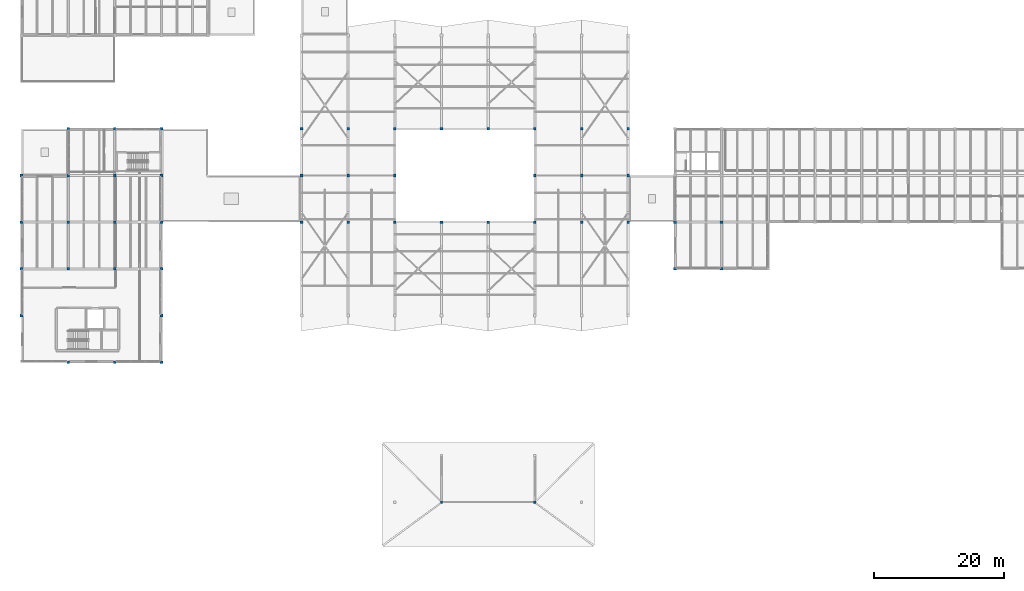
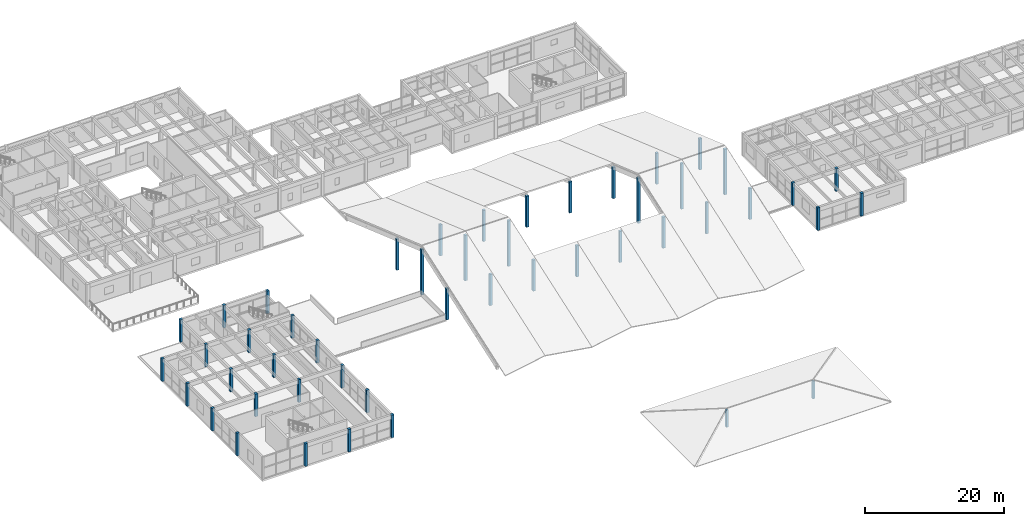
# One storey, part 1 of 68: 48 columns.
"""IFC4 building model written with IfcOpenShell, lengths in metres."""

from ifc_helpers import new_model, si_unit, direction, frame, origin, origin_2d, place, context, subcontext, project, spatial, rectangle, extrude, material, material_profile, profile_set, type_object, element, save


model = new_model("IFC4")

# Units and contexts
model_context = context("Model", 3, precision=1e-05, world=origin(), true_north=direction((0.0, 1.0)))
body_context = subcontext(model_context, "Body", "Model", "MODEL_VIEW")
ifc_project = project(units=[si_unit("LENGTHUNIT", "METRE"), si_unit("AREAUNIT", "SQUARE_METRE"), si_unit("VOLUMEUNIT", "CUBIC_METRE"), si_unit("PLANEANGLEUNIT", "RADIAN"), si_unit("MASSUNIT", "GRAM", prefix="KILO")], contexts=[model_context])

# Site, building, storey
site_placement = place(None, origin())
site = spatial("IfcSite", under=ifc_project, at=site_placement, CompositionType="ELEMENT")
building_placement = place(site_placement, origin())
building = spatial("IfcBuilding", under=site, at=building_placement, Name="Bramvelor Terrace Health Centre", CompositionType="ELEMENT")
storey_placement = place(building_placement, frame((0.0, 0.0, 9.300048828125)))
storey = spatial("IfcBuildingStorey", under=building, at=storey_placement, Name="L03", CompositionType="ELEMENT", Elevation=9.300048828125)

# Columns
ifc_material_1 = material(Name="Glulam GL28h", Category="wood")
ifc_material_profile_1 = material_profile(ifc_material_1, rectangle(XDim=0.360107421875, YDim=0.360107421875, at=origin_2d()), Name="GL 360x360")
ifc_profile_set_1 = profile_set([ifc_material_profile_1], Name="Glulam GL28h")
column_type_1 = type_object("IfcColumnType", Name="COL-GL-360", PredefinedType="COLUMN", material=ifc_profile_set_1)
for number, where, z_axis, x_axis, name in (
    (1, (64.800048828125, 7.199951171875, -0.25), (0.0, 0.0, 1.0), (1.0, 0.0, 0.0), "Prairie Hip Roof Ridge Post 1"),
    (2, (79.199951171875, 7.199951171875, -0.25), (0.0, 0.0, 1.0), (1.0, 0.0, 0.0), "Prairie Hip Roof Ridge Post 2"),
):
    element("IfcColumn", number, at=place(storey_placement, frame(where, z_axis=z_axis, x_axis=x_axis)), inside=storey, type_object=column_type_1, Name=name, PredefinedType="COLUMN", context=body_context, shape_type="SweptSolid", body=[
        extrude(rectangle(XDim=0.360107421875, YDim=0.360107421875, at=origin_2d()), origin(), (0.0, 0.0, 1.0), 3.050048828125),
    ])
ifc_material_2 = material(Name="Glulam GL28h", Category="wood")
ifc_material_profile_2 = material_profile(ifc_material_2, rectangle(XDim=0.39990234375, YDim=0.39990234375, at=origin_2d()), Name="GL 400x400")
ifc_profile_set_2 = profile_set([ifc_material_profile_2], Name="Glulam GL28h")
column_type_2 = type_object("IfcColumnType", Name="COL-GL-400", PredefinedType="COLUMN", material=ifc_profile_set_2)
for number, where, z_axis, x_axis, name in (
    (3, (43.199951171875, 50.39990234375, 0.050048828125), (0.0, 0.0, 1.0), (1.0, 0.0, 0.0), "Folded-Plate Roof Post (43.2, 50.4)"),
    (4, (43.199951171875, 64.800048828125, 0.050048828125), (0.0, 0.0, 1.0), (1.0, 0.0, 0.0), "Folded-Plate Roof Post (43.2, 64.8)"),
):
    element("IfcColumn", number, at=place(storey_placement, frame(where, z_axis=z_axis, x_axis=x_axis)), inside=storey, type_object=column_type_2, Name=name, PredefinedType="COLUMN", context=body_context, shape_type="SweptSolid", body=[
        extrude(rectangle(XDim=0.39990234375, YDim=0.39990234375, at=origin_2d()), origin(), (0.0, 0.0, 1.0), 5.481689453125),
    ])
column_1_placement = place(storey_placement, frame((43.199951171875, 57.60009765625, 0.050048828125), z_axis=(0.0, 0.0, 1.0), x_axis=(1.0, 0.0, 0.0)))
element("IfcColumn", 5, at=column_1_placement, inside=storey, type_object=column_type_2, Name="Folded-Plate Ridge Post (43.2, 57.6)", PredefinedType="COLUMN", context=body_context, shape_type="SweptSolid", body=[
    extrude(rectangle(XDim=0.39990234375, YDim=0.39990234375, at=origin_2d()), origin(), (0.0, 0.0, 1.0), 8.001708984375),
])
for number, where, z_axis, x_axis, name in (
    (6, (50.39990234375, 50.39990234375, 0.050048828125), (0.0, 0.0, 1.0), (1.0, 0.0, 0.0), "Folded-Plate Roof Post (50.4, 50.4)"),
    (7, (50.39990234375, 64.800048828125, 0.050048828125), (0.0, 0.0, 1.0), (1.0, 0.0, 0.0), "Folded-Plate Roof Post (50.4, 64.8)"),
):
    element("IfcColumn", number, at=place(storey_placement, frame(where, z_axis=z_axis, x_axis=x_axis)), inside=storey, type_object=column_type_2, Name=name, PredefinedType="COLUMN", context=body_context, shape_type="SweptSolid", body=[
        extrude(rectangle(XDim=0.39990234375, YDim=0.39990234375, at=origin_2d()), origin(), (0.0, 0.0, 1.0), 5.481689453125),
    ])
column_2_placement = place(storey_placement, frame((50.39990234375, 57.60009765625, 0.050048828125), z_axis=(0.0, 0.0, 1.0), x_axis=(1.0, 0.0, 0.0)))
element("IfcColumn", 8, at=column_2_placement, inside=storey, type_object=column_type_2, Name="Folded-Plate Ridge Post (50.4, 57.6)", PredefinedType="COLUMN", context=body_context, shape_type="SweptSolid", body=[
    extrude(rectangle(XDim=0.39990234375, YDim=0.39990234375, at=origin_2d()), origin(), (0.0, 0.0, 1.0), 8.001708984375),
])
for number, where, z_axis, x_axis, name in (
    (9, (57.60009765625, 50.39990234375, 0.050048828125), (0.0, 0.0, 1.0), (1.0, 0.0, 0.0), "Folded-Plate Roof Post (57.6, 50.4)"),
    (10, (57.60009765625, 64.800048828125, 0.050048828125), (0.0, 0.0, 1.0), (1.0, 0.0, 0.0), "Folded-Plate Roof Post (57.6, 64.8)"),
):
    element("IfcColumn", number, at=place(storey_placement, frame(where, z_axis=z_axis, x_axis=x_axis)), inside=storey, type_object=column_type_2, Name=name, PredefinedType="COLUMN", context=body_context, shape_type="SweptSolid", body=[
        extrude(rectangle(XDim=0.39990234375, YDim=0.39990234375, at=origin_2d()), origin(), (0.0, 0.0, 1.0), 5.481689453125),
    ])
column_3_placement = place(storey_placement, frame((57.60009765625, 57.60009765625, 0.050048828125), z_axis=(0.0, 0.0, 1.0), x_axis=(1.0, 0.0, 0.0)))
element("IfcColumn", 11, at=column_3_placement, inside=storey, type_object=column_type_2, Name="Folded-Plate Ridge Post (57.6, 57.6)", PredefinedType="COLUMN", context=body_context, shape_type="SweptSolid", body=[
    extrude(rectangle(XDim=0.39990234375, YDim=0.39990234375, at=origin_2d()), origin(), (0.0, 0.0, 1.0), 8.001708984375),
])
for number, where, z_axis, x_axis, name in (
    (12, (64.800048828125, 50.39990234375, 0.050048828125), (0.0, 0.0, 1.0), (1.0, 0.0, 0.0), "Folded-Plate Roof Post (64.8, 50.4)"),
    (13, (64.800048828125, 64.800048828125, 0.050048828125), (0.0, 0.0, 1.0), (1.0, 0.0, 0.0), "Folded-Plate Roof Post (64.8, 64.8)"),
    (14, (72.0, 50.39990234375, 0.050048828125), (0.0, 0.0, 1.0), (1.0, 0.0, 0.0), "Folded-Plate Roof Post (72.0, 50.4)"),
    (15, (72.0, 64.800048828125, 0.050048828125), (0.0, 0.0, 1.0), (1.0, 0.0, 0.0), "Folded-Plate Roof Post (72.0, 64.8)"),
    (16, (79.199951171875, 50.39990234375, 0.050048828125), (0.0, 0.0, 1.0), (1.0, 0.0, 0.0), "Folded-Plate Roof Post (79.2, 50.4)"),
    (17, (79.199951171875, 64.800048828125, 0.050048828125), (0.0, 0.0, 1.0), (1.0, 0.0, 0.0), "Folded-Plate Roof Post (79.2, 64.8)"),
):
    element("IfcColumn", number, at=place(storey_placement, frame(where, z_axis=z_axis, x_axis=x_axis)), inside=storey, type_object=column_type_2, Name=name, PredefinedType="COLUMN", context=body_context, shape_type="SweptSolid", body=[
        extrude(rectangle(XDim=0.39990234375, YDim=0.39990234375, at=origin_2d()), origin(), (0.0, 0.0, 1.0), 5.481689453125),
    ])
column_4_placement = place(storey_placement, frame((79.199951171875, 57.60009765625, 0.050048828125), z_axis=(0.0, 0.0, 1.0), x_axis=(1.0, 0.0, 0.0)))
element("IfcColumn", 18, at=column_4_placement, inside=storey, type_object=column_type_2, Name="Folded-Plate Ridge Post (79.2, 57.6)", PredefinedType="COLUMN", context=body_context, shape_type="SweptSolid", body=[
    extrude(rectangle(XDim=0.39990234375, YDim=0.39990234375, at=origin_2d()), origin(), (0.0, 0.0, 1.0), 8.001708984375),
])
for number, where, z_axis, x_axis, name in (
    (19, (86.39990234375, 50.39990234375, 0.050048828125), (0.0, 0.0, 1.0), (1.0, 0.0, 0.0), "Folded-Plate Roof Post (86.4, 50.4)"),
    (20, (86.39990234375, 64.800048828125, 0.050048828125), (0.0, 0.0, 1.0), (1.0, 0.0, 0.0), "Folded-Plate Roof Post (86.4, 64.8)"),
):
    element("IfcColumn", number, at=place(storey_placement, frame(where, z_axis=z_axis, x_axis=x_axis)), inside=storey, type_object=column_type_2, Name=name, PredefinedType="COLUMN", context=body_context, shape_type="SweptSolid", body=[
        extrude(rectangle(XDim=0.39990234375, YDim=0.39990234375, at=origin_2d()), origin(), (0.0, 0.0, 1.0), 5.481689453125),
    ])
column_5_placement = place(storey_placement, frame((86.39990234375, 57.60009765625, 0.050048828125), z_axis=(0.0, 0.0, 1.0), x_axis=(1.0, 0.0, 0.0)))
element("IfcColumn", 21, at=column_5_placement, inside=storey, type_object=column_type_2, Name="Folded-Plate Ridge Post (86.4, 57.6)", PredefinedType="COLUMN", context=body_context, shape_type="SweptSolid", body=[
    extrude(rectangle(XDim=0.39990234375, YDim=0.39990234375, at=origin_2d()), origin(), (0.0, 0.0, 1.0), 8.001708984375),
])
for number, where, z_axis, x_axis, name in (
    (22, (93.60009765625, 50.39990234375, 0.050048828125), (0.0, 0.0, 1.0), (1.0, 0.0, 0.0), "Folded-Plate Roof Post (93.6, 50.4)"),
    (23, (93.60009765625, 64.800048828125, 0.050048828125), (0.0, 0.0, 1.0), (1.0, 0.0, 0.0), "Folded-Plate Roof Post (93.6, 64.8)"),
):
    element("IfcColumn", number, at=place(storey_placement, frame(where, z_axis=z_axis, x_axis=x_axis)), inside=storey, type_object=column_type_2, Name=name, PredefinedType="COLUMN", context=body_context, shape_type="SweptSolid", body=[
        extrude(rectangle(XDim=0.39990234375, YDim=0.39990234375, at=origin_2d()), origin(), (0.0, 0.0, 1.0), 5.481689453125),
    ])
column_6_placement = place(storey_placement, frame((93.60009765625, 57.60009765625, 0.050048828125), z_axis=(0.0, 0.0, 1.0), x_axis=(1.0, 0.0, 0.0)))
element("IfcColumn", 24, at=column_6_placement, inside=storey, type_object=column_type_2, Name="Folded-Plate Ridge Post (93.6, 57.6)", PredefinedType="COLUMN", context=body_context, shape_type="SweptSolid", body=[
    extrude(rectangle(XDim=0.39990234375, YDim=0.39990234375, at=origin_2d()), origin(), (0.0, 0.0, 1.0), 8.001708984375),
])
ifc_material_3 = material(Name="Glulam GL28h", Category="wood")
ifc_material_profile_3 = material_profile(ifc_material_3, rectangle(XDim=0.419921875, YDim=0.419921875, at=origin_2d()), Name="GL 420x420")
ifc_profile_set_3 = profile_set([ifc_material_profile_3], Name="Glulam GL28h")
column_type_3 = type_object("IfcColumnType", Name="COL-GL-420", PredefinedType="COLUMN", material=ifc_profile_set_3)
for number, where, z_axis, x_axis, name in (
    (25, (7.199951171875, 28.800048828125, 0.0), (0.0, 0.0, 1.0), (1.0, 0.0, 0.0), "L03 Column (7.2, 28.8)"),
    (26, (7.199951171875, 43.199951171875, 0.0), (0.0, 0.0, 1.0), (1.0, 0.0, 0.0), "L03 Column (7.2, 43.2)"),
    (27, (7.199951171875, 50.39990234375, 0.0), (0.0, 0.0, 1.0), (1.0, 0.0, 0.0), "L03 Column (7.2, 50.4)"),
    (28, (7.199951171875, 57.60009765625, 0.0), (0.0, 0.0, 1.0), (1.0, 0.0, 0.0), "L03 Column (7.2, 57.6)"),
    (29, (7.199951171875, 64.800048828125, 0.0), (0.0, 0.0, 1.0), (1.0, 0.0, 0.0), "L03 Column (7.2, 64.8)"),
    (30, (14.39990234375, 28.800048828125, 0.0), (0.0, 0.0, 1.0), (1.0, 0.0, 0.0), "L03 Column (14.4, 28.8)"),
    (31, (14.39990234375, 43.199951171875, 0.0), (0.0, 0.0, 1.0), (1.0, 0.0, 0.0), "L03 Column (14.4, 43.2)"),
    (32, (14.39990234375, 50.39990234375, 0.0), (0.0, 0.0, 1.0), (1.0, 0.0, 0.0), "L03 Column (14.4, 50.4)"),
    (33, (14.39990234375, 57.60009765625, 0.0), (0.0, 0.0, 1.0), (1.0, 0.0, 0.0), "L03 Column (14.4, 57.6)"),
    (34, (14.39990234375, 64.800048828125, 0.0), (0.0, 0.0, 1.0), (1.0, 0.0, 0.0), "L03 Column (14.4, 64.8)"),
    (35, (21.60009765625, 28.800048828125, 0.0), (0.0, 0.0, 1.0), (1.0, 0.0, 0.0), "L03 Column (21.6, 28.8)"),
    (36, (21.60009765625, 36.0, 0.0), (0.0, 0.0, 1.0), (1.0, 0.0, 0.0), "L03 Column (21.6, 36.0)"),
    (37, (21.60009765625, 43.199951171875, 0.0), (0.0, 0.0, 1.0), (1.0, 0.0, 0.0), "L03 Column (21.6, 43.2)"),
    (38, (21.60009765625, 50.39990234375, 0.0), (0.0, 0.0, 1.0), (1.0, 0.0, 0.0), "L03 Column (21.6, 50.4)"),
    (39, (21.60009765625, 57.60009765625, 0.0), (0.0, 0.0, 1.0), (1.0, 0.0, 0.0), "L03 Column (21.6, 57.6)"),
    (40, (21.60009765625, 64.800048828125, 0.0), (0.0, 0.0, 1.0), (1.0, 0.0, 0.0), "L03 Column (21.6, 64.8)"),
    (41, (100.800048828125, 43.199951171875, 0.0), (0.0, 0.0, 1.0), (1.0, 0.0, 0.0), "L03 Column (100.8, 43.2)"),
    (42, (100.800048828125, 50.39990234375, 0.0), (0.0, 0.0, 1.0), (1.0, 0.0, 0.0), "L03 Column (100.8, 50.4)"),
    (43, (108.0, 43.199951171875, 0.0), (0.0, 0.0, 1.0), (1.0, 0.0, 0.0), "L03 Column (108.0, 43.2)"),
    (44, (108.0, 50.39990234375, 0.0), (0.0, 0.0, 1.0), (1.0, 0.0, 0.0), "L03 Column (108.0, 50.4)"),
):
    element("IfcColumn", number, at=place(storey_placement, frame(where, z_axis=z_axis, x_axis=x_axis)), inside=storey, type_object=column_type_3, Name=name, PredefinedType="COLUMN", context=body_context, shape_type="SweptSolid", body=[
        extrude(rectangle(XDim=0.419921875, YDim=0.419921875, at=origin_2d()), origin(), (0.0, 0.0, 1.0), 3.989990234375),
    ])
ifc_material_4 = material(Name="Glulam GL28h", Category="wood")
ifc_material_profile_4 = material_profile(ifc_material_4, rectangle(XDim=0.419921875, YDim=0.419921875, at=origin_2d()), Name="GL 420x420")
ifc_profile_set_4 = profile_set([ifc_material_profile_4], Name="Glulam GL28h")
column_type_4 = type_object("IfcColumnType", Name="COL-GL-420-EXT", PredefinedType="COLUMN", material=ifc_profile_set_4)
for number, where, z_axis, x_axis, name in (
    (45, (0.0, 36.0, 0.0), (0.0, 0.0, 1.0), (1.0, 0.0, 0.0), "L03 Column (0.0, 36.0)"),
    (46, (0.0, 43.199951171875, 0.0), (0.0, 0.0, 1.0), (1.0, 0.0, 0.0), "L03 Column (0.0, 43.2)"),
    (47, (0.0, 50.39990234375, 0.0), (0.0, 0.0, 1.0), (1.0, 0.0, 0.0), "L03 Column (0.0, 50.4)"),
    (48, (0.0, 57.60009765625, 0.0), (0.0, 0.0, 1.0), (1.0, 0.0, 0.0), "L03 Column (0.0, 57.6)"),
):
    element("IfcColumn", number, at=place(storey_placement, frame(where, z_axis=z_axis, x_axis=x_axis)), inside=storey, type_object=column_type_4, Name=name, PredefinedType="COLUMN", context=body_context, shape_type="SweptSolid", body=[
        extrude(rectangle(XDim=0.419921875, YDim=0.419921875, at=origin_2d()), origin(), (0.0, 0.0, 1.0), 3.989990234375),
    ])

save(model, "model.ifc")
